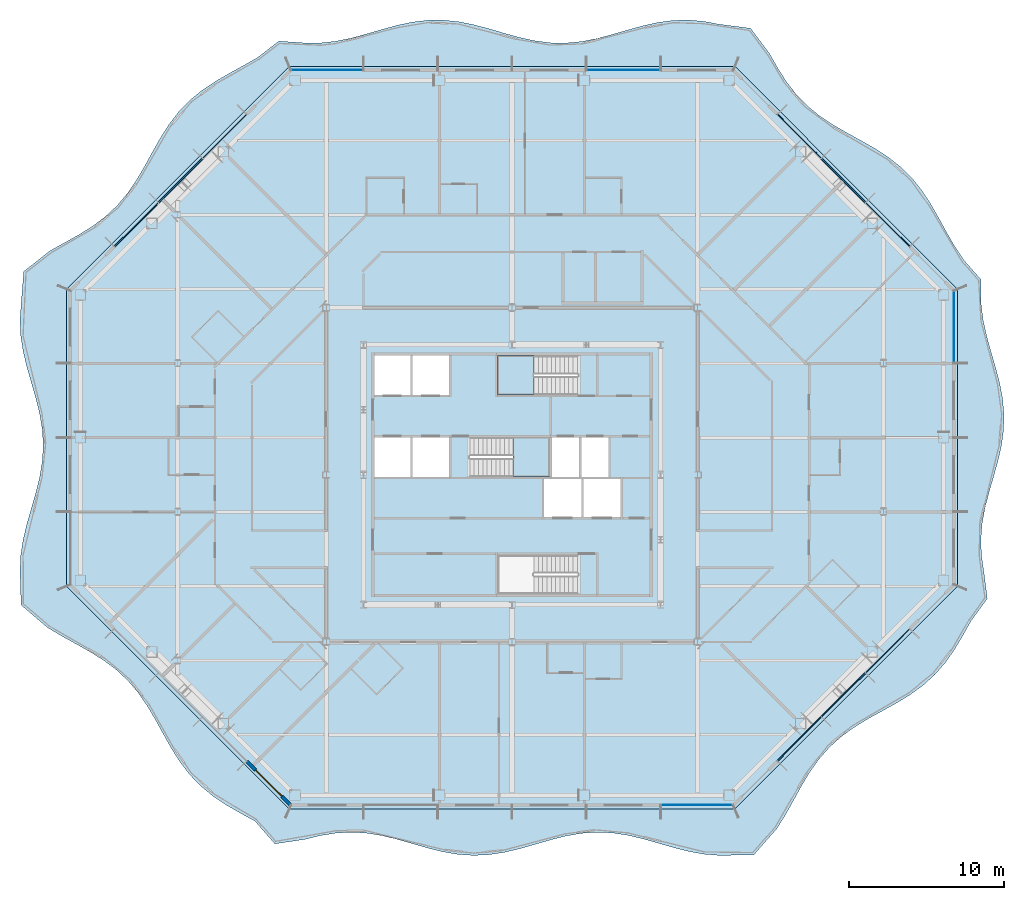
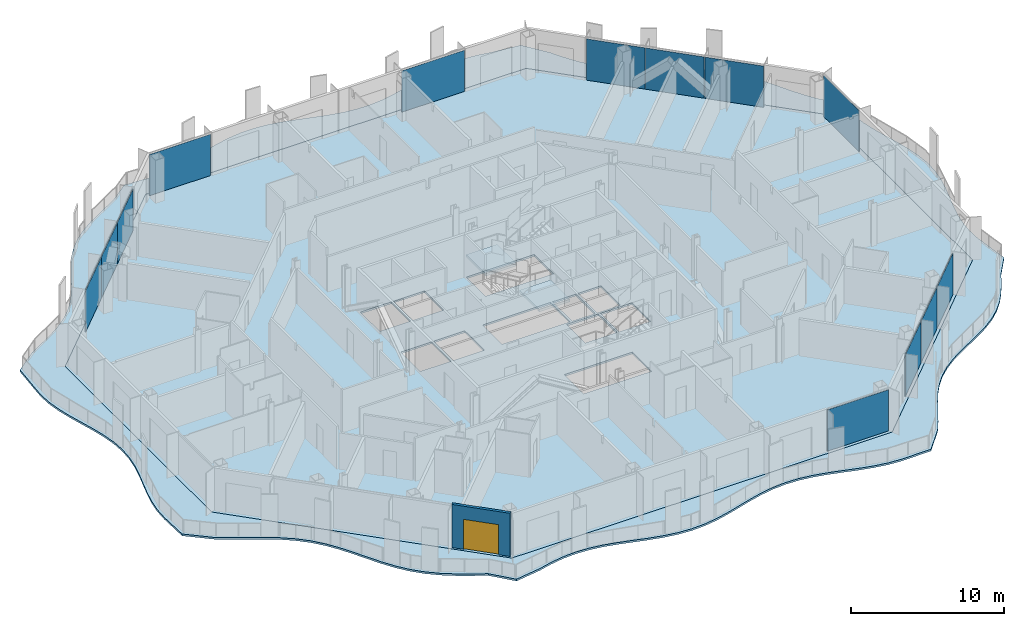
# One storey, part 6 of 22: 13 plates, 4 slabs, 1 door, 1 wall, 1 opening, 8 elements without a shape of their own.
"""IFC4 building model written with IfcOpenShell, lengths in metres."""

from ifc_helpers import new_model, si_unit, direction, frame, frame_2d, origin, origin_2d, place, context, subcontext, project, spatial, polyline, rectangle, outline, extrude, material, layer, layer_set, type_object, element, fill, aggregate, save


model = new_model("IFC4")

# Units and contexts
model_context = context("Model", 3, precision=1e-05, world=origin(), true_north=direction((0.0, 1.0)))
body_context = subcontext(model_context, "Body", "Model", "MODEL_VIEW")
ifc_project = project(units=[si_unit("LENGTHUNIT", "METRE"), si_unit("AREAUNIT", "SQUARE_METRE"), si_unit("VOLUMEUNIT", "CUBIC_METRE"), si_unit("PLANEANGLEUNIT", "RADIAN"), si_unit("MASSUNIT", "GRAM", prefix="KILO")], contexts=[model_context])

# Site, building, storey
site_placement = place(None, origin())
site = spatial("IfcSite", under=ifc_project, at=site_placement, CompositionType="ELEMENT")
building_placement = place(site_placement, origin())
building = spatial("IfcBuilding", under=site, at=building_placement, Name="Cairn Pilgrim Tower", CompositionType="ELEMENT")
storey_placement = place(building_placement, frame((0.0, 0.0, 147.0)))
storey = spatial("IfcBuildingStorey", under=building, at=storey_placement, Name="L36", CompositionType="ELEMENT", Elevation=147.0)

# Slabs
ifc_material_1 = material(Name="Concrete C35/45", Category="concrete")
ifc_layer_1 = layer(ifc_material_1, 0.14990234375)
ifc_layer_set_1 = layer_set([ifc_layer_1], Name="BALCONY SLAB 150 CONCRETE C35/45")
slab_type_1 = type_object("IfcSlabType", Name="BALCONY SLAB 150 CONCRETE C35/45", PredefinedType="FLOOR", material=ifc_layer_set_1)
slab_1_placement = place(storey_placement, frame((0.0, 0.0, -0.14990234375)))
element("IfcSlab", 1, at=slab_1_placement, inside=storey, type_object=slab_type_1, Name="Balcony slab BS-1", PredefinedType="FLOOR", context=body_context, shape_type="SweptSolid", body=[
    extrude(outline(polyline([(-9.419677734375, -19.979736328125), (-8.132080078125, -21.449951171875), (-6.206787109375, -21.164794921875), (-5.2138671875, -20.922607421875), (-4.220703125, -20.759521484375), (-3.2275390625, -20.699951171875), (-2.234375, -20.753173828125), (-1.241455078125, -20.9111328125), (-0.248291015625, -21.14990234375), (0.744873046875, -21.433837890625), (1.738037109375, -21.719970703125), (2.73095703125, -21.9658203125), (3.72412109375, -22.134033203125), (4.71728515625, -22.19970703125), (5.71044921875, -22.152587890625), (6.703369140625, -22.0), (7.696533203125, -21.764892578125), (8.689697265625, -21.482421875), (9.682861328125, -21.195068359375), (10.67578125, -20.946044921875), (11.6689453125, -20.772705078125), (12.662109375, -20.701171875), (13.6552734375, -20.741943359375), (14.648193359375, -20.888916015625), (15.641357421875, -21.120361328125), (16.634521484375, -21.4013671875), (17.627685546875, -21.689453125), (18.62060546875, -21.941650390625), (19.61376953125, -22.1201171875), (20.60693359375, -22.19775390625), (22.827392578125, -22.163330078125), (24.311767578125, -20.4716796875), (24.864990234375, -19.5849609375), (25.38134765625, -18.6611328125), (25.892822265625, -17.732666015625), (26.432373046875, -16.832275390625), (27.028564453125, -15.988525390625), (27.700927734375, -15.220947265625), (28.456787109375, -14.536865234375), (29.290771484375, -13.9306640625), (30.1845703125, -13.384765625), (31.111083984375, -12.87109375), (32.03759765625, -12.357666015625), (32.931396484375, -11.8115234375), (33.76513671875, -11.205322265625), (34.52099609375, -10.52099609375), (35.193359375, -9.75341796875), (35.78955078125, -8.909423828125), (36.3291015625, -8.009033203125), (36.840576171875, -7.08056640625), (37.918701171875, -5.5947265625), (37.6845703125, -3.78955078125), (37.5380859375, -2.779052734375), (37.502197265625, -1.768310546875), (37.582763671875, -0.7578125), (37.766845703125, 0.252685546875), (38.026123046875, 1.26318359375), (38.320068359375, 2.273681640625), (38.603271484375, 3.2841796875), (38.83154296875, 4.294677734375), (38.969482421875, 5.30517578125), (38.995361328125, 6.315673828125), (38.90576171875, 7.326416015625), (38.7138671875, 8.3369140625), (38.4501953125, 9.347412109375), (38.1552734375, 10.35791015625), (37.875, 11.368408203125), (37.653076171875, 12.37890625), (37.52392578125, 13.389404296875), (37.507568359375, 15.0244140625), (36.4169921875, 16.257080078125), (35.83935546875, 17.119384765625), (35.31103515625, 18.031005859375), (34.8017578125, 18.961669921875), (34.27783203125, 19.8779296875), (33.708984375, 20.7490234375), (33.07080078125, 21.55078125), (32.3505859375, 22.270751953125), (31.548583984375, 22.90869140625), (30.677490234375, 23.4775390625), (29.760986328125, 24.0009765625), (28.83056640625, 24.510498046875), (27.9189453125, 25.0390625), (27.056640625, 25.61669921875), (26.26611328125, 26.26611328125), (25.55810546875, 26.998291015625), (24.93115234375, 27.811279296875), (24.37060546875, 28.690673828125), (23.85107421875, 29.61083984375), (22.61962890625, 31.261962890625), (20.60693359375, 31.51953125), (19.61376953125, 31.70654296875), (18.62060546875, 31.795166015625), (17.627685546875, 31.771728515625), (16.634521484375, 31.639892578125), (15.641357421875, 31.41943359375), (14.648193359375, 31.143798828125), (13.6552734375, 30.853759765625), (12.662109375, 30.59326171875), (11.6689453125, 30.4013671875), (10.67578125, 30.306884765625), (9.682861328125, 30.323974609375), (8.689697265625, 30.4501953125), (7.696533203125, 30.66650390625), (6.703369140625, 30.940185546875), (5.71044921875, 31.23046875), (4.71728515625, 31.49365234375), (3.72412109375, 31.690185546875), (2.73095703125, 31.790771484375), (1.738037109375, 31.77978515625), (0.744873046875, 31.659423828125), (-0.248291015625, 31.447509765625), (-1.241455078125, 31.17578125), (-2.234375, 30.88525390625), (-3.2275390625, 30.619384765625), (-4.220703125, 30.418212890625), (-5.2138671875, 30.31201171875), (-6.206787109375, 30.316650390625), (-7.875732421875, 30.43115234375), (-9.224609375, 29.384765625), (-10.14111328125, 28.861083984375), (-11.071533203125, 28.3515625), (-11.983154296875, 27.822998046875), (-12.845458984375, 27.245361328125), (-13.635986328125, 26.595947265625), (-14.34375, 25.86376953125), (-14.970703125, 25.050537109375), (-15.53125, 24.17138671875), (-16.051025390625, 23.2509765625), (-16.56103515625, 22.321044921875), (-17.094970703125, 21.414794921875), (-17.681640625, 20.561767578125), (-18.342529296875, 19.782470703125), (-19.0869140625, 19.0869140625), (-19.91064453125, 18.470703125), (-20.797607421875, 17.91748046875), (-21.721435546875, 17.4013671875), (-22.64990234375, 16.889892578125), (-24.35791015625, 15.542236328125), (-24.53173828125, 13.389404296875), (-24.599609375, 12.37890625), (-24.551025390625, 11.368408203125), (-24.3935546875, 10.35791015625), (-24.1513671875, 9.347412109375), (-23.862548828125, 8.3369140625), (-23.57177734375, 7.326416015625), (-23.32421875, 6.315673828125), (-23.158447265625, 5.30517578125), (-23.10009765625, 4.294677734375), (-23.158203125, 3.2841796875), (-23.323974609375, 2.273681640625), (-23.5712890625, 1.26318359375), (-23.8623046875, 0.252685546875), (-24.151123046875, -0.7578125), (-24.39306640625, -1.768310546875), (-24.55078125, -2.779052734375), (-24.599609375, -3.78955078125), (-24.53173828125, -6.014404296875), (-22.8291015625, -7.468994140625), (-21.928466796875, -8.008544921875), (-21.0, -8.52001953125), (-20.076416015625, -9.036376953125), (-19.189697265625, -9.58984375), (-18.366455078125, -10.206298828125), (-17.62255859375, -10.902587890625), (-16.96240234375, -11.682373046875), (-16.3759765625, -12.535888671875), (-15.84228515625, -13.4423828125), (-15.332275390625, -14.372314453125), (-14.8125, -15.29248046875), (-14.25146484375, -16.17138671875), (-13.6240234375, -16.984130859375), (-12.915771484375, -17.7158203125), (-12.124755859375, -18.36474609375), (-11.261962890625, -18.942138671875), (-10.350341796875, -19.47021484375), (-9.419677734375, -19.979736328125)]), holes=[polyline([(21.60009765625, -19.199951171875), (-7.199951171875, -19.199951171875), (-21.60009765625, -4.800048828125), (-21.60009765625, 14.39990234375), (-7.199951171875, 28.800048828125), (21.60009765625, 28.800048828125), (36.0, 14.39990234375), (36.0, -4.800048828125), (21.60009765625, -19.199951171875)])]), origin(), (0.0, 0.0, 1.0), 0.14990234375),
])
ifc_layer_2 = layer(ifc_material_1, 0.14990234375)
ifc_layer_set_2 = layer_set([ifc_layer_2], Name="COMPOSITE FLOOR SLAB 150")
slab_type_2 = type_object("IfcSlabType", Name="COMPOSITE FLOOR SLAB 150", PredefinedType="FLOOR", material=ifc_layer_set_2)
slab_2_placement = place(storey_placement, frame((0.0, 0.0, -0.14990234375)))
element("IfcSlab", 2, at=slab_2_placement, inside=storey, type_object=slab_type_2, Name="FLOOR SLAB L36", PredefinedType="FLOOR", context=body_context, shape_type="SweptSolid", body=[
    extrude(outline(polyline([(-7.199951171875, -19.199951171875), (21.60009765625, -19.199951171875), (36.0, -4.800048828125), (36.0, 14.39990234375), (21.60009765625, 28.800048828125), (-7.199951171875, 28.800048828125), (-21.60009765625, 14.39990234375), (-21.60009765625, -4.800048828125), (-7.199951171875, -19.199951171875)]), holes=[polyline([(9.27490234375, -0.324951171875), (11.675048828125, -0.324951171875), (11.675048828125, 2.125), (9.27490234375, 2.125), (9.27490234375, -0.324951171875)]), polyline([(11.824951171875, -0.324951171875), (14.22509765625, -0.324951171875), (14.22509765625, 2.125), (11.824951171875, 2.125), (11.824951171875, -0.324951171875)]), polyline([(-1.72509765625, 2.27490234375), (0.625, 2.27490234375), (0.625, 4.824951171875), (-1.72509765625, 4.824951171875), (-1.72509765625, 2.27490234375)]), polyline([(0.77490234375, 2.27490234375), (3.125, 2.27490234375), (3.125, 4.824951171875), (0.77490234375, 4.824951171875), (0.77490234375, 2.27490234375)]), polyline([(-1.72509765625, 7.574951171875), (0.625, 7.574951171875), (0.625, 10.10009765625), (-1.72509765625, 10.10009765625), (-1.72509765625, 7.574951171875)]), polyline([(0.77490234375, 7.574951171875), (3.125, 7.574951171875), (3.125, 10.10009765625), (0.77490234375, 10.10009765625), (0.77490234375, 7.574951171875)]), polyline([(9.77490234375, 2.27490234375), (11.52490234375, 2.27490234375), (11.52490234375, 4.824951171875), (9.77490234375, 4.824951171875), (9.77490234375, 2.27490234375)]), polyline([(11.675048828125, 2.27490234375), (13.425048828125, 2.27490234375), (13.425048828125, 4.824951171875), (11.675048828125, 4.824951171875), (11.675048828125, 2.27490234375)]), polyline([(11.424560546875, -2.77490234375), (6.27490234375, -2.77490234375), (6.27490234375, -5.300048828125), (11.424560546875, -5.300048828125), (11.424560546875, -2.77490234375)]), polyline([(4.4755859375, 2.27490234375), (9.625, 2.27490234375), (9.625, 4.824951171875), (4.4755859375, 4.824951171875), (4.4755859375, 2.27490234375)]), polyline([(11.424560546875, 10.10009765625), (6.27490234375, 10.10009765625), (6.27490234375, 7.574951171875), (11.424560546875, 7.574951171875), (11.424560546875, 10.10009765625)])]), origin(), (0.0, 0.0, 1.0), 0.14990234375),
])

# Curtain wall, plates
ifc_material_2 = material(Name="Aluminium alloy 6063-T6 bronze anodised with Bronze tinted laminated low-E glass 8+16+8.8", Category="aluminium")
curtain_wall_type_1 = type_object("IfcCurtainWallType", Name="CHAMFER CORNER CURTAIN WALL", PredefinedType="NOTDEFINED", material=ifc_material_2)
curtain_wall_1_placement = place(storey_placement, origin())
curtain_wall_1 = element("IfcCurtainWall", 3, at=curtain_wall_1_placement, inside=storey, type_object=curtain_wall_type_1, Name="Chamfer Corner Curtain Wall SE", PredefinedType="NOTDEFINED")
ifc_material_3 = material(Name="Bronze anodised aluminium spandrel panel with mineral wool insulation", Category="aluminium")
ifc_layer_3 = layer(ifc_material_3, 0.06005859375)
ifc_layer_set_3 = layer_set([ifc_layer_3], Name="SPANDREL PANEL 3972x3300")
plate_type_1 = type_object("IfcPlateType", Name="SPANDREL PANEL 3972x3300", PredefinedType="CURTAIN_PANEL", material=ifc_layer_set_3)
plate_1_placement = place(storey_placement, frame((25.7724609375, -14.673828125, 0.0), z_axis=(0.0, 0.0, 1.0), x_axis=(0.707106781187, 0.707106781187, 0.0)))
plate_1 = element("IfcPlate", 4, at=plate_1_placement, type_object=plate_type_1, Name="Spandrel Panel SE2-1", PredefinedType="CURTAIN_PANEL", context=body_context, shape_type="SweptSolid", body=[
    extrude(rectangle(XDim=3.971435546875, YDim=0.06005859375, at=origin_2d()), origin(), (0.0, 0.0, 1.0), 3.300048828125),
])
plate_2_placement = place(storey_placement, frame((28.623291015625, -11.8232421875, 0.0), z_axis=(0.0, 0.0, 1.0), x_axis=(0.707106781187, 0.707106781187, 0.0)))
plate_2 = element("IfcPlate", 5, at=plate_2_placement, type_object=plate_type_1, Name="Spandrel Panel SE3-1", PredefinedType="CURTAIN_PANEL", context=body_context, shape_type="SweptSolid", body=[
    extrude(rectangle(XDim=3.971435546875, YDim=0.06005859375, at=origin_2d()), origin(), (0.0, 0.0, 1.0), 3.300048828125),
])
plate_3_placement = place(storey_placement, frame((31.473876953125, -8.972412109375, 0.0), z_axis=(0.0, 0.0, 1.0), x_axis=(0.707106781187, 0.707106781187, 0.0)))
plate_3 = element("IfcPlate", 6, at=plate_3_placement, type_object=plate_type_1, Name="Spandrel Panel SE4-1", PredefinedType="CURTAIN_PANEL", context=body_context, shape_type="SweptSolid", body=[
    extrude(rectangle(XDim=3.971435546875, YDim=0.06005859375, at=origin_2d()), origin(), (0.0, 0.0, 1.0), 3.300048828125),
])
aggregate(curtain_wall_1, [plate_1, plate_2, plate_3])

curtain_wall_2_placement = place(storey_placement, origin())
curtain_wall_2 = element("IfcCurtainWall", 7, at=curtain_wall_2_placement, inside=storey, type_object=curtain_wall_type_1, Name="Chamfer Corner Curtain Wall NE", PredefinedType="NOTDEFINED")
plate_4_placement = place(storey_placement, frame((31.473876953125, 18.572509765625, 0.0), z_axis=(0.0, 0.0, 1.0), x_axis=(-0.707106781187, 0.707106781187, 0.0)))
plate_4 = element("IfcPlate", 8, at=plate_4_placement, type_object=plate_type_1, Name="Spandrel Panel NE2-1", PredefinedType="CURTAIN_PANEL", context=body_context, shape_type="SweptSolid", body=[
    extrude(rectangle(XDim=3.971435546875, YDim=0.06005859375, at=origin_2d()), origin(), (0.0, 0.0, 1.0), 3.300048828125),
])
plate_5_placement = place(storey_placement, frame((28.623291015625, 21.42333984375, 0.0), z_axis=(0.0, 0.0, 1.0), x_axis=(-0.707106781187, 0.707106781187, 0.0)))
plate_5 = element("IfcPlate", 9, at=plate_5_placement, type_object=plate_type_1, Name="Spandrel Panel NE3-1", PredefinedType="CURTAIN_PANEL", context=body_context, shape_type="SweptSolid", body=[
    extrude(rectangle(XDim=3.971435546875, YDim=0.06005859375, at=origin_2d()), origin(), (0.0, 0.0, 1.0), 3.300048828125),
])
plate_6_placement = place(storey_placement, frame((25.7724609375, 24.27392578125, 0.0), z_axis=(0.0, 0.0, 1.0), x_axis=(-0.707106781187, 0.707106781187, 0.0)))
plate_6 = element("IfcPlate", 10, at=plate_6_placement, type_object=plate_type_1, Name="Spandrel Panel NE4-1", PredefinedType="CURTAIN_PANEL", context=body_context, shape_type="SweptSolid", body=[
    extrude(rectangle(XDim=3.971435546875, YDim=0.06005859375, at=origin_2d()), origin(), (0.0, 0.0, 1.0), 3.300048828125),
])
aggregate(curtain_wall_2, [plate_4, plate_5, plate_6])

curtain_wall_3_placement = place(storey_placement, origin())
curtain_wall_3 = element("IfcCurtainWall", 11, at=curtain_wall_3_placement, inside=storey, type_object=curtain_wall_type_1, Name="Chamfer Corner Curtain Wall NW", PredefinedType="NOTDEFINED")
plate_7_placement = place(storey_placement, frame((-11.37255859375, 24.27392578125, 0.0), z_axis=(0.0, 0.0, 1.0), x_axis=(-0.707106781187, -0.707106781187, 0.0)))
plate_7 = element("IfcPlate", 12, at=plate_7_placement, type_object=plate_type_1, Name="Spandrel Panel NW2-1", PredefinedType="CURTAIN_PANEL", context=body_context, shape_type="SweptSolid", body=[
    extrude(rectangle(XDim=3.971435546875, YDim=0.06005859375, at=origin_2d()), origin(), (0.0, 0.0, 1.0), 3.300048828125),
])
plate_8_placement = place(storey_placement, frame((-14.22314453125, 21.42333984375, 0.0), z_axis=(0.0, 0.0, 1.0), x_axis=(-0.707106781187, -0.707106781187, 0.0)))
plate_8 = element("IfcPlate", 13, at=plate_8_placement, type_object=plate_type_1, Name="Spandrel Panel NW3-1", PredefinedType="CURTAIN_PANEL", context=body_context, shape_type="SweptSolid", body=[
    extrude(rectangle(XDim=3.971435546875, YDim=0.06005859375, at=origin_2d()), origin(), (0.0, 0.0, 1.0), 3.300048828125),
])
plate_9_placement = place(storey_placement, frame((-17.073974609375, 18.572509765625, 0.0), z_axis=(0.0, 0.0, 1.0), x_axis=(-0.707106781187, -0.707106781187, 0.0)))
plate_9 = element("IfcPlate", 14, at=plate_9_placement, type_object=plate_type_1, Name="Spandrel Panel NW4-1", PredefinedType="CURTAIN_PANEL", context=body_context, shape_type="SweptSolid", body=[
    extrude(rectangle(XDim=3.971435546875, YDim=0.06005859375, at=origin_2d()), origin(), (0.0, 0.0, 1.0), 3.300048828125),
])
aggregate(curtain_wall_3, [plate_7, plate_8, plate_9])

# Stair, slab
ifc_material_4 = material(Name="Concrete C32/40", Category="concrete")
stair_type = type_object("IfcStairType", Name="EXIT STAIR 1200", PredefinedType="HALF_TURN_STAIR", material=ifc_material_4)
stair_1_placement = place(storey_placement, origin())
stair_1 = element("IfcStair", 15, at=stair_1_placement, inside=storey, type_object=stair_type, Name="L36 Exit Stair B", PredefinedType="HALF_TURN_STAIR")
ifc_layer_4 = layer(ifc_material_4, 0.199951171875)
ifc_layer_set_4 = layer_set([ifc_layer_4], Name="STAIR LANDING 200")
slab_type_3 = type_object("IfcSlabType", Name="STAIR LANDING 200", PredefinedType="LANDING", material=ifc_layer_set_4)
slab_3_placement = place(storey_placement, frame((0.0, 0.0, 1.60009765625)))
slab_3 = element("IfcSlab", 16, at=slab_3_placement, type_object=slab_type_3, Name="ST-B landing 1", PredefinedType="LANDING", context=body_context, shape_type="SweptSolid", body=[
    extrude(outline(polyline([(7.27490234375, 2.27490234375), (9.625, 2.27490234375), (9.625, 4.824951171875), (7.27490234375, 4.824951171875), (7.27490234375, 2.27490234375)])), origin(), (0.0, 0.0, 1.0), 0.199951171875),
])
aggregate(stair_1, [slab_3])

stair_2_placement = place(storey_placement, origin())
stair_2 = element("IfcStair", 17, at=stair_2_placement, inside=storey, type_object=stair_type, Name="L36 Exit Stair C", PredefinedType="HALF_TURN_STAIR")
slab_4_placement = place(storey_placement, frame((0.0, 0.0, 1.60009765625)))
slab_4 = element("IfcSlab", 18, at=slab_4_placement, type_object=slab_type_3, Name="ST-C landing 1", PredefinedType="LANDING", context=body_context, shape_type="SweptSolid", body=[
    extrude(outline(polyline([(8.625, 10.10009765625), (6.27490234375, 10.10009765625), (6.27490234375, 7.574951171875), (8.625, 7.574951171875), (8.625, 10.10009765625)])), origin(), (0.0, 0.0, 1.0), 0.199951171875),
])
aggregate(stair_2, [slab_4])

# Curtain wall, plate
curtain_wall_type_2 = type_object("IfcCurtainWallType", Name="TOWER STICK CURTAIN WALL NS", PredefinedType="NOTDEFINED", material=ifc_material_2)
curtain_wall_4_placement = place(storey_placement, origin())
curtain_wall_4 = element("IfcCurtainWall", 19, at=curtain_wall_4_placement, inside=storey, type_object=curtain_wall_type_2, Name="Tower Stick Curtain Wall Ns S", PredefinedType="NOTDEFINED")
ifc_material_5 = material(Name="Bronze tinted laminated low-E glass 8+16+8.8", Category="glass")
ifc_layer_5 = layer(ifc_material_5, 0.033935546875)
ifc_layer_set_5 = layer_set([ifc_layer_5], Name="VISION GLAZING 4626x3300")
plate_type_2 = type_object("IfcPlateType", Name="VISION GLAZING 4626x3300", PredefinedType="CURTAIN_PANEL", material=ifc_layer_set_5)
plate_10_placement = place(storey_placement, frame((19.143310546875, -18.949951171875, 0.0), z_axis=(0.0, 0.0, 1.0), x_axis=(1.0, 0.0, 0.0)))
plate_10 = element("IfcPlate", 20, at=plate_10_placement, type_object=plate_type_2, Name="Vision Glazing S6-1", PredefinedType="CURTAIN_PANEL", context=body_context, shape_type="SweptSolid", body=[
    extrude(rectangle(XDim=4.62646484375, YDim=0.033935546875, at=origin_2d()), origin(), (0.0, 0.0, 1.0), 3.300048828125),
])
aggregate(curtain_wall_4, [plate_10])

curtain_wall_type_3 = type_object("IfcCurtainWallType", Name="TOWER STICK CURTAIN WALL EW", PredefinedType="NOTDEFINED", material=ifc_material_2)
curtain_wall_5_placement = place(storey_placement, origin())
curtain_wall_5 = element("IfcCurtainWall", 21, at=curtain_wall_5_placement, inside=storey, type_object=curtain_wall_type_3, Name="Tower Stick Curtain Wall Ew E", PredefinedType="NOTDEFINED")
plate_11_placement = place(storey_placement, frame((35.75, 11.943115234375, 0.0), z_axis=(0.0, 0.0, 1.0), x_axis=(0.0, 1.0, 0.0)))
plate_11 = element("IfcPlate", 22, at=plate_11_placement, type_object=plate_type_2, Name="Vision Glazing E4-1", PredefinedType="CURTAIN_PANEL", context=body_context, shape_type="SweptSolid", body=[
    extrude(rectangle(XDim=4.62646484375, YDim=0.033935546875, at=origin_2d()), origin(), (0.0, 0.0, 1.0), 3.300048828125),
])
aggregate(curtain_wall_5, [plate_11])

# Curtain wall, plates
curtain_wall_6_placement = place(storey_placement, origin())
curtain_wall_6 = element("IfcCurtainWall", 23, at=curtain_wall_6_placement, inside=storey, type_object=curtain_wall_type_2, Name="Tower Stick Curtain Wall Ns N", PredefinedType="NOTDEFINED")
plate_12_placement = place(storey_placement, frame((-4.7431640625, 28.550048828125, 0.0), z_axis=(0.0, 0.0, 1.0), x_axis=(-1.0, 0.0, 0.0)))
plate_12 = element("IfcPlate", 24, at=plate_12_placement, type_object=plate_type_2, Name="Vision Glazing N6-1", PredefinedType="CURTAIN_PANEL", context=body_context, shape_type="SweptSolid", body=[
    extrude(rectangle(XDim=4.62646484375, YDim=0.033935546875, at=origin_2d()), origin(), (0.0, 0.0, 1.0), 3.300048828125),
])
ifc_layer_6 = layer(ifc_material_5, 0.033935546875)
ifc_layer_set_6 = layer_set([ifc_layer_6], Name="VISION GLAZING 4740x3300")
plate_type_3 = type_object("IfcPlateType", Name="VISION GLAZING 4740x3300", PredefinedType="CURTAIN_PANEL", material=ifc_layer_set_6)
plate_13_placement = place(storey_placement, frame((14.39990234375, 28.550048828125, 0.0), z_axis=(0.0, 0.0, 1.0), x_axis=(-1.0, 0.0, 0.0)))
plate_13 = element("IfcPlate", 25, at=plate_13_placement, type_object=plate_type_3, Name="Vision Glazing N2-1", PredefinedType="CURTAIN_PANEL", context=body_context, shape_type="SweptSolid", body=[
    extrude(rectangle(XDim=4.739990234375, YDim=0.033935546875, at=origin_2d()), origin(), (0.0, 0.0, 1.0), 3.300048828125),
])
aggregate(curtain_wall_6, [plate_13, plate_12])

# Wall, opening, door
ifc_material_6 = material(Name="Bronze anodised aluminium insulated sandwich panel with mineral wool fill", Category="aluminium")
ifc_layer_7 = layer(ifc_material_6, 0.199951171875)
ifc_layer_set_7 = layer_set([ifc_layer_7], Name="BRONZE INFILL FRAME WALL 200")
wall_type = type_object("IfcWallType", Name="BRONZE INFILL FRAME WALL 200", PredefinedType="NOTDEFINED", material=ifc_layer_set_7)
wall_placement = place(storey_placement, frame((-9.926025390625, -16.12060546875, 0.0), z_axis=(0.0, 0.0, 1.0), x_axis=(0.707137595296, -0.707075965734, 0.0)))
wall = element("IfcWall", 26, at=wall_placement, inside=storey, type_object=wall_type, Name="Bronze infill frame wall IW-SW5", PredefinedType="NOTDEFINED", context=body_context, shape_type="SweptSolid", body=[
    extrude(rectangle(XDim=3.96142578125, YDim=0.199951171875, at=frame_2d((1.980712890625, 0.0))), origin(), (0.0, 0.0, 1.0), 3.449951171875),
])
opening_placement = place(wall_placement, frame((0.785400390625, 0.0, 0.0)))
opening = element("IfcOpeningElement", 27, at=opening_placement, cuts=wall, Name="Opening 3619B2", PredefinedType="OPENING", context=body_context, shape_type="SweptSolid", body=[
    extrude(rectangle(XDim=2.39990234375, YDim=2.39990234375, at=frame_2d((1.199951171875, 1.199951171875))), frame((0.0, 0.10986328125, 0.0), z_axis=(0.0, -1.0, 0.0), x_axis=(1.0, 0.0, 0.0)), (0.0, 0.0, 1.0), 0.219970703125),
])
ifc_material_7 = material(Name="Bronze anodised aluminium frame with tinted low-E glass", Category="aluminium")
door_type = type_object("IfcDoorType", Name="BALCONY SLIDING DOOR 2400x2400", OperationType="DOUBLE_DOOR_SLIDING", PredefinedType="DOOR", material=ifc_material_7)
door_placement = place(opening_placement, origin())
door = element("IfcDoor", 28, at=door_placement, inside=storey, type_object=door_type, Name="Balcony sliding door 3619B2", OperationType="SINGLE_SWING_LEFT", OverallHeight=2.39990234375, OverallWidth=2.39990234375, PredefinedType="DOOR", context=body_context, shape_type="SweptSolid", body=[
    extrude(rectangle(XDim=2.39990234375, YDim=2.39990234375, at=frame_2d((1.199951171875, 1.199951171875))), frame((0.0, 0.02490234375, 0.0), z_axis=(0.0, -1.0, 0.0), x_axis=(1.0, 0.0, 0.0)), (0.0, 0.0, 1.0), 0.050048828125),
])
fill(opening, door)

save(model, "model.ifc")
